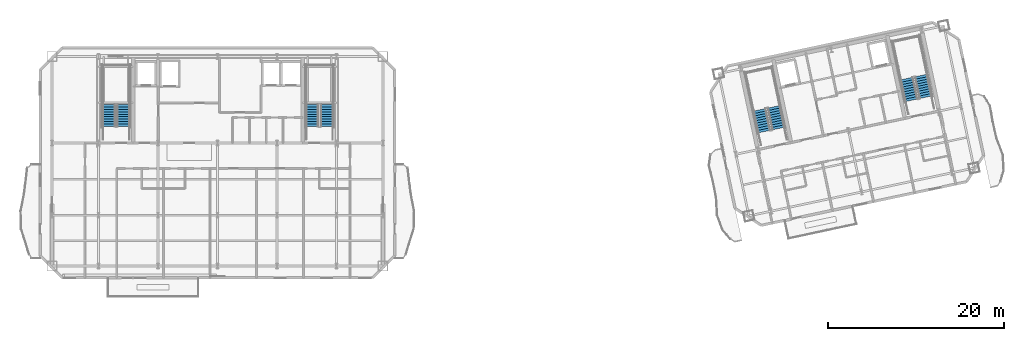
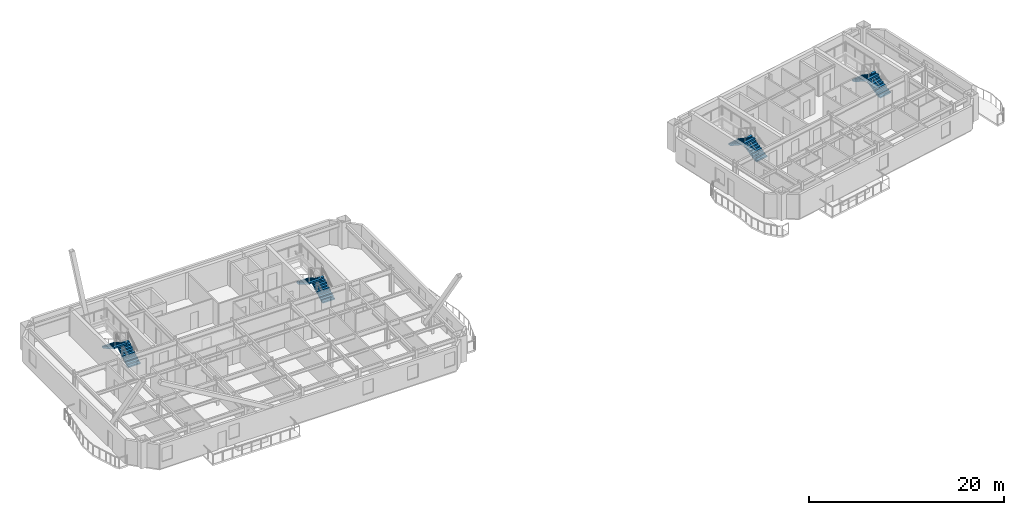
# One storey, part 10 of 14: 8 stair flights, 4 elements without a shape of their own.
"""IFC4 building model written with IfcOpenShell, lengths in metres."""

from ifc_helpers import new_model, si_unit, direction, frame, origin, place, context, subcontext, project, spatial, polyline, outline, extrude, material, type_object, element, aggregate, save


model = new_model("IFC4")

# Units and contexts
model_context = context("Model", 3, precision=1e-05, world=origin(), true_north=direction((0.0, 1.0)))
body_context = subcontext(model_context, "Body", "Model", "MODEL_VIEW")
ifc_project = project(units=[si_unit("LENGTHUNIT", "METRE"), si_unit("AREAUNIT", "SQUARE_METRE"), si_unit("VOLUMEUNIT", "CUBIC_METRE"), si_unit("PLANEANGLEUNIT", "RADIAN"), si_unit("MASSUNIT", "GRAM", prefix="KILO")], contexts=[model_context])

# Site, building, storey
site_placement = place(None, origin())
site = spatial("IfcSite", under=ifc_project, at=site_placement, CompositionType="ELEMENT")
building_placement = place(site_placement, origin())
building = spatial("IfcBuilding", under=site, at=building_placement, Name="Haevon Station Towers", CompositionType="ELEMENT")
storey_placement = place(building_placement, frame((0.0, 0.0, 228.60009765625)))
storey = spatial("IfcBuildingStorey", under=building, at=storey_placement, Name="L63", CompositionType="ELEMENT", Elevation=228.60009765625)

# Stair, stair flights
ifc_material = material(Name="Concrete C40/50", Category="concrete")
stair_type = type_object("IfcStairType", Name="STR-DL1450", PredefinedType="USERDEFINED", material=ifc_material)
stair_1_placement = place(storey_placement, origin())
stair_1 = element("IfcStair", 1, at=stair_1_placement, inside=storey, type_object=stair_type, Name="L63 Escape Stair ST1", ObjectType="TWO_RETURN_STAIR", PredefinedType="USERDEFINED")
stair_flight_type = type_object("IfcStairFlightType", Name="STF-ST1450", PredefinedType="STRAIGHT", material=ifc_material)
stair_flight_1_placement = place(storey_placement, frame((26.85498046875, 40.050048828125, 0.0), z_axis=(0.0, 0.0, 1.0), x_axis=(0.0, 1.0, 0.0)))
stair_flight_1 = element("IfcStairFlight", 2, at=stair_flight_1_placement, type_object=stair_flight_type, Name="L63 ST1 Flight 1", NumberOfRisers=10, NumberOfTreads=9, PredefinedType="STRAIGHT", RiserHeight=0.165, TreadLength=0.28, context=body_context, shape_type="SweptSolid", body=[
    extrude(outline(polyline([(0.0, 0.0), (0.0, 0.1650390625), (0.280029296875, 0.1650390625), (0.280029296875, 0.330078125), (0.56005859375, 0.330078125), (0.56005859375, 0.4951171875), (0.840087890625, 0.4951171875), (0.840087890625, 0.659912109375), (1.1201171875, 0.659912109375), (1.1201171875, 0.824951171875), (1.39990234375, 0.824951171875), (1.39990234375, 0.989990234375), (1.679931640625, 0.989990234375), (1.679931640625, 1.155029296875), (1.9599609375, 1.155029296875), (1.9599609375, 1.320068359375), (2.239990234375, 1.320068359375), (2.239990234375, 1.485107421875), (2.52001953125, 1.485107421875), (2.52001953125, 1.64990234375), (2.52001953125, 1.29931640625), (0.31494140625, 0.0), (0.0, 0.0)])), frame((0.0, 0.72509765625, 0.0), z_axis=(0.0, -1.0, 0.0), x_axis=(1.0, 0.0, 0.0)), (0.0, 0.0, 1.0), 1.449951171875),
])
stair_flight_2_placement = place(storey_placement, frame((25.205078125, 42.570068359375, 1.64990234375), z_axis=(0.0, 0.0, 1.0), x_axis=(0.0, -1.0, 0.0)))
stair_flight_2 = element("IfcStairFlight", 3, at=stair_flight_2_placement, type_object=stair_flight_type, Name="L63 ST1 Flight 2", NumberOfRisers=10, NumberOfTreads=9, PredefinedType="STRAIGHT", RiserHeight=0.165, TreadLength=0.28, context=body_context, shape_type="SweptSolid", body=[
    extrude(outline(polyline([(0.0, 0.0), (0.0, 0.1650390625), (0.280029296875, 0.1650390625), (0.280029296875, 0.330078125), (0.56005859375, 0.330078125), (0.56005859375, 0.4951171875), (0.840087890625, 0.4951171875), (0.840087890625, 0.659912109375), (1.1201171875, 0.659912109375), (1.1201171875, 0.824951171875), (1.39990234375, 0.824951171875), (1.39990234375, 0.989990234375), (1.679931640625, 0.989990234375), (1.679931640625, 1.155029296875), (1.9599609375, 1.155029296875), (1.9599609375, 1.320068359375), (2.239990234375, 1.320068359375), (2.239990234375, 1.485107421875), (2.52001953125, 1.485107421875), (2.52001953125, 1.64990234375), (2.52001953125, 1.29931640625), (0.31494140625, 0.0), (0.0, 0.0)])), frame((0.0, 0.72509765625, 0.0), z_axis=(0.0, -1.0, 0.0), x_axis=(1.0, 0.0, 0.0)), (0.0, 0.0, 1.0), 1.449951171875),
])
aggregate(stair_1, [stair_flight_1, stair_flight_2])

stair_2_placement = place(storey_placement, origin())
stair_2 = element("IfcStair", 4, at=stair_2_placement, inside=storey, type_object=stair_type, Name="L63 Escape Stair ST2", ObjectType="TWO_RETURN_STAIR", PredefinedType="USERDEFINED")
stair_flight_3_placement = place(storey_placement, frame((49.89501953125, 40.050048828125, 0.0), z_axis=(0.0, 0.0, 1.0), x_axis=(0.0, 1.0, 0.0)))
stair_flight_3 = element("IfcStairFlight", 5, at=stair_flight_3_placement, type_object=stair_flight_type, Name="L63 ST2 Flight 1", NumberOfRisers=10, NumberOfTreads=9, PredefinedType="STRAIGHT", RiserHeight=0.165, TreadLength=0.28, context=body_context, shape_type="SweptSolid", body=[
    extrude(outline(polyline([(0.0, 0.0), (0.0, 0.1650390625), (0.280029296875, 0.1650390625), (0.280029296875, 0.330078125), (0.56005859375, 0.330078125), (0.56005859375, 0.4951171875), (0.840087890625, 0.4951171875), (0.840087890625, 0.659912109375), (1.1201171875, 0.659912109375), (1.1201171875, 0.824951171875), (1.39990234375, 0.824951171875), (1.39990234375, 0.989990234375), (1.679931640625, 0.989990234375), (1.679931640625, 1.155029296875), (1.9599609375, 1.155029296875), (1.9599609375, 1.320068359375), (2.239990234375, 1.320068359375), (2.239990234375, 1.485107421875), (2.52001953125, 1.485107421875), (2.52001953125, 1.64990234375), (2.52001953125, 1.29931640625), (0.31494140625, 0.0), (0.0, 0.0)])), frame((0.0, 0.72509765625, 0.0), z_axis=(0.0, -1.0, 0.0), x_axis=(1.0, 0.0, 0.0)), (0.0, 0.0, 1.0), 1.449951171875),
])
stair_flight_4_placement = place(storey_placement, frame((48.2451171875, 42.570068359375, 1.64990234375), z_axis=(0.0, 0.0, 1.0), x_axis=(0.0, -1.0, 0.0)))
stair_flight_4 = element("IfcStairFlight", 6, at=stair_flight_4_placement, type_object=stair_flight_type, Name="L63 ST2 Flight 2", NumberOfRisers=10, NumberOfTreads=9, PredefinedType="STRAIGHT", RiserHeight=0.165, TreadLength=0.28, context=body_context, shape_type="SweptSolid", body=[
    extrude(outline(polyline([(0.0, 0.0), (0.0, 0.1650390625), (0.280029296875, 0.1650390625), (0.280029296875, 0.330078125), (0.56005859375, 0.330078125), (0.56005859375, 0.4951171875), (0.840087890625, 0.4951171875), (0.840087890625, 0.659912109375), (1.1201171875, 0.659912109375), (1.1201171875, 0.824951171875), (1.39990234375, 0.824951171875), (1.39990234375, 0.989990234375), (1.679931640625, 0.989990234375), (1.679931640625, 1.155029296875), (1.9599609375, 1.155029296875), (1.9599609375, 1.320068359375), (2.239990234375, 1.320068359375), (2.239990234375, 1.485107421875), (2.52001953125, 1.485107421875), (2.52001953125, 1.64990234375), (2.52001953125, 1.29931640625), (0.31494140625, 0.0), (0.0, 0.0)])), frame((0.0, 0.72509765625, 0.0), z_axis=(0.0, -1.0, 0.0), x_axis=(1.0, 0.0, 0.0)), (0.0, 0.0, 1.0), 1.449951171875),
])
aggregate(stair_2, [stair_flight_3, stair_flight_4])

stair_3_placement = place(storey_placement, origin())
stair_3 = element("IfcStair", 7, at=stair_3_placement, inside=storey, type_object=stair_type, Name="L63 Escape Stair ST3", ObjectType="TWO_RETURN_STAIR", PredefinedType="USERDEFINED")
stair_flight_5_placement = place(storey_placement, frame((101.1015625, 39.8330078125, 0.0), z_axis=(0.0, 0.0, 1.0), x_axis=(-0.207911690818, 0.978147600734, 0.0)))
stair_flight_5 = element("IfcStairFlight", 8, at=stair_flight_5_placement, type_object=stair_flight_type, Name="L63 ST3 Flight 1", NumberOfRisers=10, NumberOfTreads=9, PredefinedType="STRAIGHT", RiserHeight=0.165, TreadLength=0.28, context=body_context, shape_type="SweptSolid", body=[
    extrude(outline(polyline([(0.0, 0.0), (0.0, 0.1650390625), (0.280029296875, 0.1650390625), (0.280029296875, 0.330078125), (0.56005859375, 0.330078125), (0.56005859375, 0.4951171875), (0.840087890625, 0.4951171875), (0.840087890625, 0.659912109375), (1.1201171875, 0.659912109375), (1.1201171875, 0.824951171875), (1.39990234375, 0.824951171875), (1.39990234375, 0.989990234375), (1.679931640625, 0.989990234375), (1.679931640625, 1.155029296875), (1.9599609375, 1.155029296875), (1.9599609375, 1.320068359375), (2.239990234375, 1.320068359375), (2.239990234375, 1.485107421875), (2.52001953125, 1.485107421875), (2.52001953125, 1.64990234375), (2.52001953125, 1.29931640625), (0.31494140625, 0.0), (0.0, 0.0)])), frame((0.0, 0.72509765625, 0.0), z_axis=(0.0, -1.0, 0.0), x_axis=(1.0, 0.0, 0.0)), (0.0, 0.0, 1.0), 1.449951171875),
])
stair_flight_6_placement = place(storey_placement, frame((98.9638671875, 41.955078125, 1.64990234375), z_axis=(0.0, 0.0, 1.0), x_axis=(0.207911690818, -0.978147600734, 0.0)))
stair_flight_6 = element("IfcStairFlight", 9, at=stair_flight_6_placement, type_object=stair_flight_type, Name="L63 ST3 Flight 2", NumberOfRisers=10, NumberOfTreads=9, PredefinedType="STRAIGHT", RiserHeight=0.165, TreadLength=0.28, context=body_context, shape_type="SweptSolid", body=[
    extrude(outline(polyline([(0.0, 0.0), (0.0, 0.1650390625), (0.280029296875, 0.1650390625), (0.280029296875, 0.330078125), (0.56005859375, 0.330078125), (0.56005859375, 0.4951171875), (0.840087890625, 0.4951171875), (0.840087890625, 0.659912109375), (1.1201171875, 0.659912109375), (1.1201171875, 0.824951171875), (1.39990234375, 0.824951171875), (1.39990234375, 0.989990234375), (1.679931640625, 0.989990234375), (1.679931640625, 1.155029296875), (1.9599609375, 1.155029296875), (1.9599609375, 1.320068359375), (2.239990234375, 1.320068359375), (2.239990234375, 1.485107421875), (2.52001953125, 1.485107421875), (2.52001953125, 1.64990234375), (2.52001953125, 1.29931640625), (0.31494140625, 0.0), (0.0, 0.0)])), frame((0.0, 0.72509765625, 0.0), z_axis=(0.0, -1.0, 0.0), x_axis=(1.0, 0.0, 0.0)), (0.0, 0.0, 1.0), 1.449951171875),
])
aggregate(stair_3, [stair_flight_5, stair_flight_6])

stair_4_placement = place(storey_placement, origin())
stair_4 = element("IfcStair", 10, at=stair_4_placement, inside=storey, type_object=stair_type, Name="L63 Escape Stair ST4", ObjectType="TWO_RETURN_STAIR", PredefinedType="USERDEFINED")
stair_flight_7_placement = place(storey_placement, frame((117.788818359375, 43.380126953125, 0.0), z_axis=(0.0, 0.0, 1.0), x_axis=(-0.207911690818, 0.978147600734, 0.0)))
stair_flight_7 = element("IfcStairFlight", 11, at=stair_flight_7_placement, type_object=stair_flight_type, Name="L63 ST4 Flight 1", NumberOfRisers=10, NumberOfTreads=9, PredefinedType="STRAIGHT", RiserHeight=0.165, TreadLength=0.28, context=body_context, shape_type="SweptSolid", body=[
    extrude(outline(polyline([(0.0, 0.0), (0.0, 0.1650390625), (0.280029296875, 0.1650390625), (0.280029296875, 0.330078125), (0.56005859375, 0.330078125), (0.56005859375, 0.4951171875), (0.840087890625, 0.4951171875), (0.840087890625, 0.659912109375), (1.1201171875, 0.659912109375), (1.1201171875, 0.824951171875), (1.39990234375, 0.824951171875), (1.39990234375, 0.989990234375), (1.679931640625, 0.989990234375), (1.679931640625, 1.155029296875), (1.9599609375, 1.155029296875), (1.9599609375, 1.320068359375), (2.239990234375, 1.320068359375), (2.239990234375, 1.485107421875), (2.52001953125, 1.485107421875), (2.52001953125, 1.64990234375), (2.52001953125, 1.29931640625), (0.31494140625, 0.0), (0.0, 0.0)])), frame((0.0, 0.72509765625, 0.0), z_axis=(0.0, -1.0, 0.0), x_axis=(1.0, 0.0, 0.0)), (0.0, 0.0, 1.0), 1.449951171875),
])
stair_flight_8_placement = place(storey_placement, frame((115.65087890625, 45.501953125, 1.64990234375), z_axis=(0.0, 0.0, 1.0), x_axis=(0.207911690818, -0.978147600734, 0.0)))
stair_flight_8 = element("IfcStairFlight", 12, at=stair_flight_8_placement, type_object=stair_flight_type, Name="L63 ST4 Flight 2", NumberOfRisers=10, NumberOfTreads=9, PredefinedType="STRAIGHT", RiserHeight=0.165, TreadLength=0.28, context=body_context, shape_type="SweptSolid", body=[
    extrude(outline(polyline([(0.0, 0.0), (0.0, 0.1650390625), (0.280029296875, 0.1650390625), (0.280029296875, 0.330078125), (0.56005859375, 0.330078125), (0.56005859375, 0.4951171875), (0.840087890625, 0.4951171875), (0.840087890625, 0.659912109375), (1.1201171875, 0.659912109375), (1.1201171875, 0.824951171875), (1.39990234375, 0.824951171875), (1.39990234375, 0.989990234375), (1.679931640625, 0.989990234375), (1.679931640625, 1.155029296875), (1.9599609375, 1.155029296875), (1.9599609375, 1.320068359375), (2.239990234375, 1.320068359375), (2.239990234375, 1.485107421875), (2.52001953125, 1.485107421875), (2.52001953125, 1.64990234375), (2.52001953125, 1.29931640625), (0.31494140625, 0.0), (0.0, 0.0)])), frame((0.0, 0.72509765625, 0.0), z_axis=(0.0, -1.0, 0.0), x_axis=(1.0, 0.0, 0.0)), (0.0, 0.0, 1.0), 1.449951171875),
])
aggregate(stair_4, [stair_flight_7, stair_flight_8])

save(model, "model.ifc")
